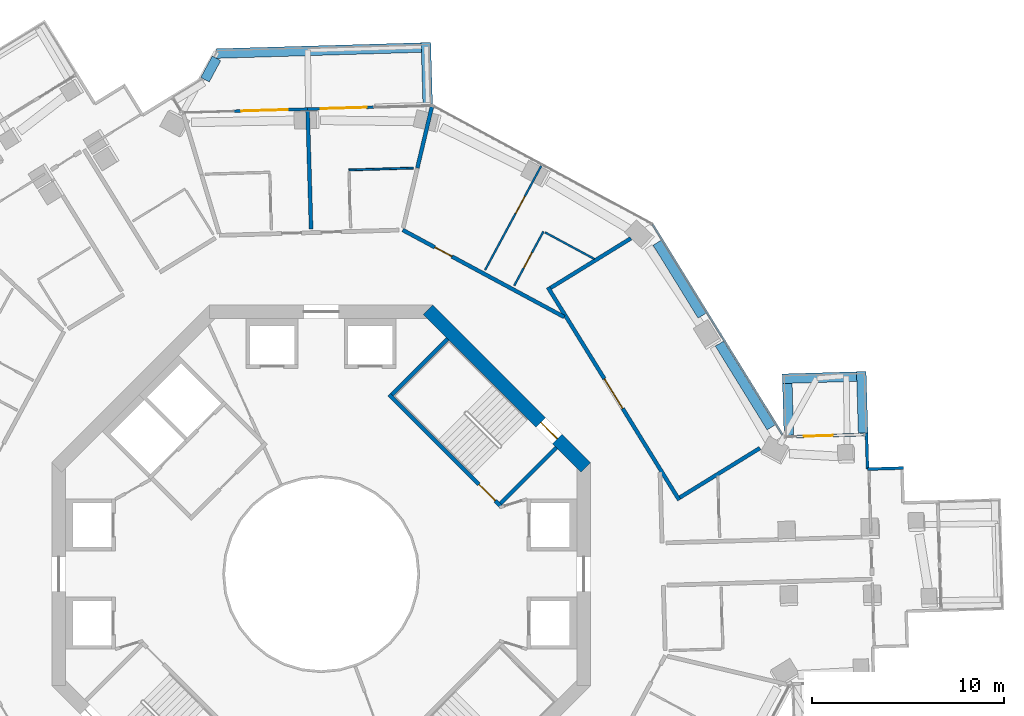
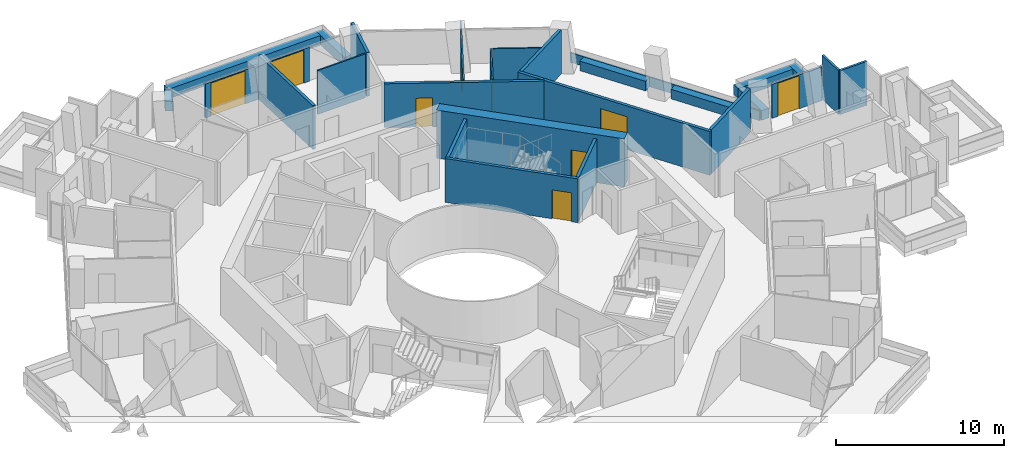
# One storey, part 19 of 22: 28 walls, 9 doors, 9 openings.
"""IFC4 building model written with IfcOpenShell, lengths in metres."""

from ifc_helpers import new_model, si_unit, direction, frame, frame_2d, origin, place, context, subcontext, project, spatial, rectangle, extrude, material, layer, layer_set, type_object, element, fill, save


model = new_model("IFC4")

# Units and contexts
model_context = context("Model", 3, precision=1e-05, world=origin(), true_north=direction((0.0, 1.0)))
body_context = subcontext(model_context, "Body", "Model", "MODEL_VIEW")
ifc_project = project(units=[si_unit("LENGTHUNIT", "METRE"), si_unit("AREAUNIT", "SQUARE_METRE"), si_unit("VOLUMEUNIT", "CUBIC_METRE"), si_unit("PLANEANGLEUNIT", "RADIAN"), si_unit("MASSUNIT", "GRAM", prefix="KILO")], contexts=[model_context])

# Site, building, storey
site_placement = place(None, origin())
site = spatial("IfcSite", under=ifc_project, at=site_placement, CompositionType="ELEMENT")
building_placement = place(site_placement, origin())
building = spatial("IfcBuilding", under=site, at=building_placement, Name="Verdalira Terraces Hotel", CompositionType="ELEMENT")
storey_placement = place(building_placement, frame((0.0, 0.0, 162.0)))
storey = spatial("IfcBuildingStorey", under=building, at=storey_placement, Name="L39", CompositionType="ELEMENT", Elevation=162.0)

# Walls
ifc_material_1 = material(Name="Concrete C40", Category="concrete")
ifc_layer_1 = layer(ifc_material_1, 0.5)
ifc_layer_set_1 = layer_set([ifc_layer_1], Name="Balcony planter trough with tree")
wall_type_1 = type_object("IfcWallType", Name="Balcony planter trough with tree", PredefinedType="SOLIDWALL", material=ifc_layer_set_1)
wall_1_placement = place(storey_placement, frame((28.168701, 7.330078, 0.0), z_axis=(0.0, 0.0, 1.0), x_axis=(-0.029307097, 0.999570455, 0.0)))
element("IfcWall", 1, at=wall_1_placement, inside=storey, type_object=wall_type_1, Name="Balcony planter", PredefinedType="SOLIDWALL", context=body_context, shape_type="SweptSolid", body=[
    extrude(rectangle(XDim=3.198975, YDim=0.5, at=frame_2d((1.599609, 0.0))), origin(), (0.0, 0.0, 1.0), 0.699951),
])
wall_2_placement = place(storey_placement, frame((27.832275, 10.270264, 0.0), z_axis=(0.0, 0.0, 1.0), x_axis=(-0.999571787, -0.029261617, 0.0)))
element("IfcWall", 2, at=wall_2_placement, inside=storey, type_object=wall_type_1, Name="Balcony planter", PredefinedType="SOLIDWALL", context=body_context, shape_type="SweptSolid", body=[
    extrude(rectangle(XDim=3.863037, YDim=0.5, at=frame_2d((1.931641, 0.0))), origin(), (0.0, 0.0, 1.0), 0.699951),
])
wall_3_placement = place(storey_placement, frame((24.228027, 9.914551, 0.0), z_axis=(0.0, 0.0, 1.0), x_axis=(0.029308671, -0.999570409, 0.0)))
element("IfcWall", 3, at=wall_3_placement, inside=storey, type_object=wall_type_1, Name="Balcony planter", PredefinedType="SOLIDWALL", context=body_context, shape_type="SweptSolid", body=[
    extrude(rectangle(XDim=2.698975, YDim=0.5, at=frame_2d((1.349609, 0.0))), origin(), (0.0, 0.0, 1.0), 0.699951),
])
wall_4_placement = place(storey_placement, frame((5.536133, 24.432129, 0.0), z_axis=(0.0, 0.0, 1.0), x_axis=(-0.029304862, 0.99957052, 0.0)))
element("IfcWall", 4, at=wall_4_placement, inside=storey, type_object=wall_type_1, Name="Balcony planter", PredefinedType="SOLIDWALL", context=body_context, shape_type="SweptSolid", body=[
    extrude(rectangle(XDim=3.199219, YDim=0.5, at=frame_2d((1.599609, 0.0))), origin(), (0.0, 0.0, 1.0), 0.699951),
])
wall_5_placement = place(storey_placement, frame((5.199707, 27.372559, 0.0), z_axis=(0.0, 0.0, 1.0), x_axis=(-0.999570286, -0.029312844, 0.0)))
element("IfcWall", 5, at=wall_5_placement, inside=storey, type_object=wall_type_1, Name="Balcony planter", PredefinedType="SOLIDWALL", context=body_context, shape_type="SweptSolid", body=[
    extrude(rectangle(XDim=10.652588, YDim=0.5, at=frame_2d((5.326172, 0.0))), origin(), (0.0, 0.0, 1.0), 0.699951),
])
wall_6_placement = place(storey_placement, frame((-5.440918, 26.810303, 0.0), z_axis=(0.0, 0.0, 1.0), x_axis=(-0.47439977, -0.880309524, 0.0)))
element("IfcWall", 6, at=wall_6_placement, inside=storey, type_object=wall_type_1, Name="Balcony planter", PredefinedType="SOLIDWALL", context=body_context, shape_type="SweptSolid", body=[
    extrude(rectangle(XDim=1.261963, YDim=0.5, at=frame_2d((0.630859, 0.0))), origin(), (0.0, 0.0, 1.0), 0.699951),
])
ifc_material_2 = material(Name="Moisture-resistant gypsum board partition")
ifc_layer_2 = layer(ifc_material_2, 0.10009765625)
ifc_layer_set_2 = layer_set([ifc_layer_2], Name="Bathroom partition 100 mm")
wall_type_2 = type_object("IfcWallType", Name="Bathroom partition 100 mm", PredefinedType="PARTITIONING", material=ifc_layer_set_2)
wall_7_placement = place(storey_placement, frame((1.443115, 21.009766, 0.0), z_axis=(0.0, 0.0, 1.0), x_axis=(0.999570835, 0.029294122, 0.0)))
element("IfcWall", 7, at=wall_7_placement, inside=storey, type_object=wall_type_2, Name="Bathroom partition", PredefinedType="PARTITIONING", context=body_context, shape_type="SweptSolid", body=[
    extrude(rectangle(XDim=3.350342, YDim=0.100098, at=frame_2d((1.675293, 0.0))), origin(), (0.0, 0.0, 1.0), 3.189941),
])

# Wall, opening, door
wall_8_placement = place(storey_placement, frame((11.437012, 21.2229, 0.0), z_axis=(0.0, 0.0, 1.0), x_axis=(-0.474409898, -0.880304066, 0.0)))
wall_8 = element("IfcWall", 8, at=wall_8_placement, inside=storey, type_object=wall_type_2, Name="Bathroom partition", PredefinedType="PARTITIONING", context=body_context, shape_type="SweptSolid", body=[
    extrude(rectangle(XDim=6.150146, YDim=0.100098, at=frame_2d((3.075195, 0.0))), origin(), (0.0, 0.0, 1.0), 3.189941),
])
opening_1_placement = place(wall_8_placement, frame((1.800049, 0.0, 0.0)))
opening_1 = element("IfcOpeningElement", 9, at=opening_1_placement, cuts=wall_8, Name="Opening L39-134", PredefinedType="OPENING", context=body_context, shape_type="SweptSolid", body=[
    extrude(rectangle(XDim=1.0, YDim=2.100098, at=frame_2d((0.5, 1.050049))), frame((0.0, 0.060059, 0.0), z_axis=(0.0, -1.0, 0.0), x_axis=(1.0, 0.0, 0.0)), (0.0, 0.0, 1.0), 0.120117),
])
ifc_material_3 = material(Name="Timber door", Category="wood")
door_type_1 = type_object("IfcDoorType", Name="Suite internal door 1000 x 2100", OperationType="NOTDEFINED", PredefinedType="DOOR", material=ifc_material_3)
door_1_placement = place(opening_1_placement, origin())
door_1 = element("IfcDoor", 10, at=door_1_placement, inside=storey, type_object=door_type_1, Name="Suite internal door 3910", OperationType="SINGLE_SWING_LEFT", OverallHeight=2.10009765625, OverallWidth=1.0, PredefinedType="DOOR", context=body_context, shape_type="SweptSolid", body=[
    extrude(rectangle(XDim=1.0, YDim=2.100098, at=frame_2d((0.5, 1.050049))), frame((0.0, 0.024902, 0.0), z_axis=(0.0, -1.0, 0.0), x_axis=(1.0, 0.0, 0.0)), (0.0, 0.0, 1.0), 0.050049),
])
fill(opening_1, door_1)

wall_9_placement = place(storey_placement, frame((11.550049, 17.810791, 0.0), z_axis=(0.0, 0.0, 1.0), x_axis=(-0.474409178, -0.880304454, 0.0)))
wall_9 = element("IfcWall", 11, at=wall_9_placement, inside=storey, type_object=wall_type_2, Name="Bathroom partition", PredefinedType="PARTITIONING", context=body_context, shape_type="SweptSolid", body=[
    extrude(rectangle(XDim=3.199951, YDim=0.100098, at=frame_2d((1.600098, 0.0))), origin(), (0.0, 0.0, 1.0), 3.189941),
])
opening_2_placement = place(wall_9_placement, frame((1.25, 0.0, 0.0)))
opening_2 = element("IfcOpeningElement", 12, at=opening_2_placement, cuts=wall_9, Name="Opening L39-135", PredefinedType="OPENING", context=body_context, shape_type="SweptSolid", body=[
    extrude(rectangle(XDim=0.899902, YDim=2.100098, at=frame_2d((0.449951, 1.050049))), frame((0.0, 0.060059, 0.0), z_axis=(0.0, -1.0, 0.0), x_axis=(1.0, 0.0, 0.0)), (0.0, 0.0, 1.0), 0.120117),
])
ifc_material_4 = material(Name="Timber door", Category="wood")
door_type_2 = type_object("IfcDoorType", Name="Bathroom door 900 x 2100", OperationType="NOTDEFINED", PredefinedType="DOOR", material=ifc_material_4)
door_2_placement = place(opening_2_placement, origin())
door_2 = element("IfcDoor", 13, at=door_2_placement, inside=storey, type_object=door_type_2, Name="Bathroom door 3910", OperationType="SINGLE_SWING_LEFT", OverallHeight=2.10009765625, OverallWidth=0.89990234375, PredefinedType="DOOR", context=body_context, shape_type="SweptSolid", body=[
    extrude(rectangle(XDim=0.899902, YDim=2.100098, at=frame_2d((0.449951, 1.050049))), frame((0.0, 0.024902, 0.0), z_axis=(0.0, -1.0, 0.0), x_axis=(1.0, 0.0, 0.0)), (0.0, 0.0, 1.0), 0.050049),
])
fill(opening_2, door_2)

# Wall
wall_10_placement = place(storey_placement, frame((14.201416, 16.381836, 0.0), z_axis=(0.0, 0.0, 1.0), x_axis=(-0.880306815, 0.474404797, 0.0)))
element("IfcWall", 14, at=wall_10_placement, inside=storey, type_object=wall_type_2, Name="Bathroom partition", PredefinedType="PARTITIONING", context=body_context, shape_type="SweptSolid", body=[
    extrude(rectangle(XDim=2.911865, YDim=0.100098, at=frame_2d((1.456055, 0.0))), origin(), (0.0, 0.0, 1.0), 3.189941),
])

# Wall, opening, door
ifc_material_5 = material(Name="Concrete C50", Category="concrete")
ifc_layer_3 = layer(ifc_material_5, 0.199951171875)
ifc_layer_set_3 = layer_set([ifc_layer_3], Name="Core RC wall 200 C50")
wall_type_3 = type_object("IfcWallType", Name="Core RC wall 200 C50", PredefinedType="SOLIDWALL", material=ifc_layer_set_3)
wall_11_placement = place(storey_placement, frame((3.5354, 9.33374, 0.0), z_axis=(0.0, 0.0, 1.0), x_axis=(0.707106781, -0.707106781, 0.0)))
wall_11 = element("IfcWall", 15, at=wall_11_placement, inside=storey, type_object=wall_type_3, Name="L39 stair ST1 front wall", PredefinedType="SOLIDWALL", context=body_context, shape_type="SweptSolid", body=[
    extrude(rectangle(XDim=8.200195, YDim=0.199951, at=frame_2d((4.100098, 0.0))), origin(), (0.0, 0.0, 1.0), 3.189941),
])
opening_3_placement = place(wall_11_placement, frame((6.600098, 0.0, 0.0)))
opening_3 = element("IfcOpeningElement", 16, at=opening_3_placement, cuts=wall_11, Name="Opening L39-809", PredefinedType="OPENING", context=body_context, shape_type="SweptSolid", body=[
    extrude(rectangle(XDim=1.199951, YDim=2.100098, at=frame_2d((0.600098, 1.050049))), frame((0.0, 0.109863, 0.0), z_axis=(0.0, -1.0, 0.0), x_axis=(1.0, 0.0, 0.0)), (0.0, 0.0, 1.0), 0.219971),
])
ifc_material_6 = material(Name="Steel fire door", Category="steel")
door_type_3 = type_object("IfcDoorType", Name="Stair door 1200 x 2100", OperationType="NOTDEFINED", PredefinedType="DOOR", material=ifc_material_6)
door_3_placement = place(opening_3_placement, origin())
door_3 = element("IfcDoor", 17, at=door_3_placement, inside=storey, type_object=door_type_3, Name="Stair door ST1 L39", OperationType="SINGLE_SWING_RIGHT", OverallHeight=2.10009765625, OverallWidth=1.199951171875, PredefinedType="DOOR", context=body_context, shape_type="SweptSolid", body=[
    extrude(rectangle(XDim=1.199951, YDim=2.100098, at=frame_2d((0.600098, 1.050049))), frame((0.0, 0.024902, 0.0), z_axis=(0.0, -1.0, 0.0), x_axis=(1.0, 0.0, 0.0)), (0.0, 0.0, 1.0), 0.050049),
])
fill(opening_3, door_3)

# Walls
for number, where, z_axis, x_axis, name in (
    (18, (9.33374, 3.677002, 0.0), (0.0, 0.0, 1.0), (0.707106781, 0.707106781, 0.0), "L39 stair ST1 end wall 1"),
    (19, (3.677002, 9.33374, 0.0), (0.0, 0.0, 1.0), (0.707106781, 0.707106781, 0.0), "L39 stair ST1 end wall 2"),
):
    element("IfcWall", number, at=place(storey_placement, frame(where, z_axis=z_axis, x_axis=x_axis)), inside=storey, type_object=wall_type_3, Name=name, PredefinedType="SOLIDWALL", context=body_context, shape_type="SweptSolid", body=[
        extrude(rectangle(XDim=4.100098, YDim=0.199951, at=frame_2d((2.050049, 0.0))), origin(), (0.0, 0.0, 1.0), 3.189941),
    ])

# Wall, opening, door
ifc_material_7 = material(Name="Concrete C60", Category="concrete")
ifc_layer_4 = layer(ifc_material_7, 0.699951171875)
ifc_layer_set_4 = layer_set([ifc_layer_4], Name="Core wall 700 C60")
wall_type_4 = type_object("IfcWallType", Name="Core wall 700 C60", PredefinedType="SHEAR", material=ifc_layer_set_4)
wall_12_placement = place(storey_placement, frame((13.752441, 5.551514, 0.0), z_axis=(0.0, 0.0, 1.0), x_axis=(-0.707106781, 0.707106781, 0.0)))
wall_12 = element("IfcWall", 20, at=wall_12_placement, inside=storey, type_object=wall_type_4, Name="Core wall CW-L39-2", PredefinedType="SHEAR", context=body_context, shape_type="SweptSolid", body=[
    extrude(rectangle(XDim=11.5979, YDim=0.699951, at=frame_2d((5.798828, 0.0))), origin(), (0.0, 0.0, 1.0), 3.5),
])
opening_4_placement = place(wall_12_placement, frame((2.099121, 0.0, 0.0)))
opening_4 = element("IfcOpeningElement", 21, at=opening_4_placement, cuts=wall_12, Name="Opening L39-816", PredefinedType="OPENING", context=body_context, shape_type="SweptSolid", body=[
    extrude(rectangle(XDim=1.199951, YDim=2.100098, at=frame_2d((0.600098, 1.050049))), frame((0.0, 0.359863, 0.0), z_axis=(0.0, -1.0, 0.0), x_axis=(1.0, 0.0, 0.0)), (0.0, 0.0, 1.0), 0.719971),
])
door_4_placement = place(opening_4_placement, origin())
door_4 = element("IfcDoor", 22, at=door_4_placement, inside=storey, type_object=door_type_3, Name="Stair exit door ST1 L39", OperationType="SINGLE_SWING_LEFT", OverallHeight=2.10009765625, OverallWidth=1.199951171875, PredefinedType="DOOR", context=body_context, shape_type="SweptSolid", body=[
    extrude(rectangle(XDim=1.199951, YDim=2.100098, at=frame_2d((0.600098, 1.050049))), frame((0.0, 0.024902, 0.0), z_axis=(0.0, -1.0, 0.0), x_axis=(1.0, 0.0, 0.0)), (0.0, 0.0, 1.0), 0.050049),
])
fill(opening_4, door_4)

# Walls
ifc_material_8 = material(Name="Fire-rated gypsum board wall")
ifc_layer_5 = layer(ifc_material_8, 0.199951171875)
ifc_layer_set_5 = layer_set([ifc_layer_5], Name="Demising wall 200 mm")
wall_type_5 = type_object("IfcWallType", Name="Demising wall 200 mm", PredefinedType="SOLIDWALL", material=ifc_layer_set_5)
wall_13_placement = place(storey_placement, frame((-0.526611, 17.950684, 0.0), z_axis=(0.0, 0.0, 1.0), x_axis=(-0.029297558, 0.999570734, 0.0)))
element("IfcWall", 23, at=wall_13_placement, inside=storey, type_object=wall_type_5, Name="Demising wall", PredefinedType="SOLIDWALL", context=body_context, shape_type="SweptSolid", body=[
    extrude(rectangle(XDim=6.149902, YDim=0.199951, at=frame_2d((3.074951, 0.0))), origin(), (0.0, 0.0, 1.0), 3.189941),
])
wall_14_placement = place(storey_placement, frame((4.998291, 21.111816, 0.0), z_axis=(0.0, 0.0, 1.0), x_axis=(0.230425438, 0.973089984, 0.0)))
element("IfcWall", 24, at=wall_14_placement, inside=storey, type_object=wall_type_5, Name="Demising wall", PredefinedType="SOLIDWALL", context=body_context, shape_type="SweptSolid", body=[
    extrude(rectangle(XDim=3.268555, YDim=0.199951, at=frame_2d((1.634277, 0.0))), origin(), (0.0, 0.0, 1.0), 3.189941),
])

# Wall, opening, door
ifc_material_9 = material(Name="Fire-rated gypsum board wall")
ifc_layer_6 = layer(ifc_material_9, 0.199951171875)
ifc_layer_set_6 = layer_set([ifc_layer_6], Name="Guest corridor wall 200 mm")
wall_type_6 = type_object("IfcWallType", Name="Guest corridor wall 200 mm", PredefinedType="SOLIDWALL", material=ifc_layer_set_6)
wall_15_placement = place(storey_placement, frame((4.235596, 17.890137, 0.0), z_axis=(0.0, 0.0, 1.0), x_axis=(0.880311578, -0.474395959, 0.0)))
wall_15 = element("IfcWall", 25, at=wall_15_placement, inside=storey, type_object=wall_type_6, Name="Guest corridor wall", PredefinedType="SOLIDWALL", context=body_context, shape_type="SweptSolid", body=[
    extrude(rectangle(XDim=9.536621, YDim=0.199951, at=frame_2d((4.768311, 0.0))), origin(), (0.0, 0.0, 1.0), 3.189941),
])
opening_5_placement = place(wall_15_placement, frame((1.899902, 0.0, 0.0)))
opening_5 = element("IfcOpeningElement", 26, at=opening_5_placement, cuts=wall_15, Name="Opening L39-133", PredefinedType="OPENING", context=body_context, shape_type="SweptSolid", body=[
    extrude(rectangle(XDim=1.0, YDim=2.100098, at=frame_2d((0.5, 1.050049))), frame((0.0, 0.109863, 0.0), z_axis=(0.0, -1.0, 0.0), x_axis=(1.0, 0.0, 0.0)), (0.0, 0.0, 1.0), 0.219971),
])
ifc_material_10 = material(Name="Timber fire door", Category="wood")
door_type_4 = type_object("IfcDoorType", Name="Guest entry door 1000 x 2100", OperationType="NOTDEFINED", PredefinedType="DOOR", material=ifc_material_10)
door_5_placement = place(opening_5_placement, origin())
door_5 = element("IfcDoor", 27, at=door_5_placement, inside=storey, type_object=door_type_4, Name="Guest entry door 3910", OperationType="SINGLE_SWING_LEFT", OverallHeight=2.10009765625, OverallWidth=1.0, PredefinedType="DOOR", context=body_context, shape_type="SweptSolid", body=[
    extrude(rectangle(XDim=1.0, YDim=2.100098, at=frame_2d((0.5, 1.050049))), frame((0.0, 0.024902, 0.0), z_axis=(0.0, -1.0, 0.0), x_axis=(1.0, 0.0, 0.0)), (0.0, 0.0, 1.0), 0.050049),
])
fill(opening_5, door_5)

ifc_material_11 = material(Name="Terracotta cladding", Category="masonry")
ifc_layer_7 = layer(ifc_material_11, 0.199951171875)
ifc_layer_set_7 = layer_set([ifc_layer_7], Name="Loggia back wall 200")
wall_type_7 = type_object("IfcWallType", Name="Loggia back wall 200", PredefinedType="SOLIDWALL", material=ifc_layer_set_7)
wall_16_placement = place(storey_placement, frame((11.783691, 14.910156, 0.0), z_axis=(0.0, 0.0, 1.0), x_axis=(0.525179384, -0.850991548, 0.0)))
wall_16 = element("IfcWall", 28, at=wall_16_placement, inside=storey, type_object=wall_type_7, Name="Loggia back wall", PredefinedType="SOLIDWALL", context=body_context, shape_type="SweptSolid", body=[
    extrude(rectangle(XDim=13.0, YDim=0.199951, at=frame_2d((6.5, 0.0))), origin(), (0.0, 0.0, 1.0), 3.189941),
])
opening_6_placement = place(wall_16_placement, frame((5.600098, 0.0, 0.0)))
opening_6 = element("IfcOpeningElement", 29, at=opening_6_placement, cuts=wall_16, Name="Opening L39-L01", PredefinedType="OPENING", context=body_context, shape_type="SweptSolid", body=[
    extrude(rectangle(XDim=1.800049, YDim=2.399902, at=frame_2d((0.899902, 1.199951))), frame((0.0, 0.109863, 0.0), z_axis=(0.0, -1.0, 0.0), x_axis=(1.0, 0.0, 0.0)), (0.0, 0.0, 1.0), 0.219971),
])
ifc_material_12 = material(Name="Clear glass", Category="glass")
door_type_5 = type_object("IfcDoorType", Name="Garden double door 1800x2400", OperationType="NOTDEFINED", PredefinedType="DOOR", material=ifc_material_12)
door_6_placement = place(opening_6_placement, origin())
door_6 = element("IfcDoor", 30, at=door_6_placement, inside=storey, type_object=door_type_5, Name="Loggia double door", OperationType="DOUBLE_DOOR_SINGLE_SWING", OverallHeight=2.39990234375, OverallWidth=1.800048828125, PredefinedType="DOOR", context=body_context, shape_type="SweptSolid", body=[
    extrude(rectangle(XDim=1.800049, YDim=2.399902, at=frame_2d((0.899902, 1.199951))), frame((0.0, 0.024902, 0.0), z_axis=(0.0, -1.0, 0.0), x_axis=(1.0, 0.0, 0.0)), (0.0, 0.0, 1.0), 0.050049),
])
fill(opening_6, door_6)

# Walls
wall_17_placement = place(storey_placement, frame((22.804443, 6.552734, 0.0), z_axis=(0.0, 0.0, 1.0), x_axis=(-0.850989008, -0.5251835, 0.0)))
element("IfcWall", 31, at=wall_17_placement, inside=storey, type_object=wall_type_7, Name="Loggia side wall", PredefinedType="SOLIDWALL", context=body_context, shape_type="SweptSolid", body=[
    extrude(rectangle(XDim=4.889404, YDim=0.199951, at=frame_2d((2.444824, 0.0))), origin(), (0.0, 0.0, 1.0), 3.189941),
])
wall_18_placement = place(storey_placement, frame((16.094482, 17.452881, 0.0), z_axis=(0.0, 0.0, 1.0), x_axis=(-0.851008082, -0.525152592, 0.0)))
element("IfcWall", 32, at=wall_18_placement, inside=storey, type_object=wall_type_7, Name="Loggia side wall", PredefinedType="SOLIDWALL", context=body_context, shape_type="SweptSolid", body=[
    extrude(rectangle(XDim=4.903809, YDim=0.199951, at=frame_2d((2.451904, 0.0))), origin(), (0.0, 0.0, 1.0), 3.189941),
])
ifc_material_13 = material(Name="Concrete C40", Category="concrete")
ifc_layer_8 = layer(ifc_material_13, 0.5)
ifc_layer_set_8 = layer_set([ifc_layer_8], Name="Loggia planter trough with tree")
wall_type_8 = type_object("IfcWallType", Name="Loggia planter trough with tree", PredefinedType="SOLIDWALL", material=ifc_layer_set_8)
wall_19_placement = place(storey_placement, frame((23.387451, 7.627441, 0.0), z_axis=(0.0, 0.0, 1.0), x_axis=(-0.52515659, 0.851005614, 0.0)))
element("IfcWall", 33, at=wall_19_placement, inside=storey, type_object=wall_type_8, Name="Loggia planter", PredefinedType="SOLIDWALL", context=body_context, shape_type="SweptSolid", body=[
    extrude(rectangle(XDim=5.116699, YDim=0.5, at=frame_2d((2.55835, 0.0))), origin(), (0.0, 0.0, 1.0), 0.699951),
])
wall_20_placement = place(storey_placement, frame((19.802002, 13.437256, 0.0), z_axis=(0.0, 0.0, 1.0), x_axis=(-0.525152092, 0.85100839, 0.0)))
element("IfcWall", 34, at=wall_20_placement, inside=storey, type_object=wall_type_8, Name="Loggia planter", PredefinedType="SOLIDWALL", context=body_context, shape_type="SweptSolid", body=[
    extrude(rectangle(XDim=4.454102, YDim=0.5, at=frame_2d((2.227051, 0.0))), origin(), (0.0, 0.0, 1.0), 0.699951),
])
ifc_material_14 = material(Name="Concrete C40", Category="concrete")
ifc_layer_9 = layer(ifc_material_14, 0.10009765625)
ifc_layer_set_9 = layer_set([ifc_layer_9], Name="Loggia upstand 100")
wall_type_9 = type_object("IfcWallType", Name="Loggia upstand 100", PredefinedType="SOLIDWALL", material=ifc_layer_set_9)
wall_21_placement = place(storey_placement, frame((23.972656, 7.250244, 0.0), z_axis=(0.0, 0.0, 1.0), x_axis=(-0.525170615, 0.85099696, 0.0)))
element("IfcWall", 35, at=wall_21_placement, inside=storey, type_object=wall_type_9, Name="Loggia upstand", PredefinedType="SOLIDWALL", context=body_context, shape_type="SweptSolid", body=[
    extrude(rectangle(XDim=12.839844, YDim=0.100098, at=frame_2d((6.419922, 0.0))), origin(), (0.0, 0.0, 1.0), 0.699951),
])
ifc_material_15 = material(Name="Terracotta cladding", Category="masonry")
ifc_layer_10 = layer(ifc_material_15, 0.14990234375)
ifc_layer_set_10 = layer_set([ifc_layer_10], Name="Terracotta clad wall 150")
wall_type_10 = type_object("IfcWallType", Name="Terracotta clad wall 150", PredefinedType="SOLIDWALL", material=ifc_layer_set_10)
wall_22_placement = place(storey_placement, frame((30.272705, 5.514893, 0.0), z_axis=(0.0, 0.0, 1.0), x_axis=(-0.999570676, -0.029299557, 0.0)))
element("IfcWall", 36, at=wall_22_placement, inside=storey, type_object=wall_type_10, Name="Terracotta cladding wall", PredefinedType="SOLIDWALL", context=body_context, shape_type="SweptSolid", body=[
    extrude(rectangle(XDim=1.874756, YDim=0.149902, at=frame_2d((0.9375, 0.0))), origin(), (0.0, 0.0, 1.0), 3.189941),
])
wall_23_placement = place(storey_placement, frame((28.398682, 5.459961, 0.0), z_axis=(0.0, 0.0, 1.0), x_axis=(-0.029295744, 0.999570788, 0.0)))
element("IfcWall", 37, at=wall_23_placement, inside=storey, type_object=wall_type_10, Name="Terracotta cladding wall", PredefinedType="SOLIDWALL", context=body_context, shape_type="SweptSolid", body=[
    extrude(rectangle(XDim=1.875, YDim=0.149902, at=frame_2d((0.9375, 0.0))), origin(), (0.0, 0.0, 1.0), 3.189941),
])

# Wall, opening, door
ifc_material_16 = material(Name="Terracotta cladding", Category="masonry")
ifc_layer_11 = layer(ifc_material_16, 0.14990234375)
ifc_layer_set_11 = layer_set([ifc_layer_11], Name="Terracotta door pier 150")
wall_type_11 = type_object("IfcWallType", Name="Terracotta door pier 150", PredefinedType="SOLIDWALL", material=ifc_layer_set_11)
wall_24_placement = place(storey_placement, frame((28.200928, 7.254883, 0.0), z_axis=(0.0, 0.0, 1.0), x_axis=(-0.999570518, -0.029304957, 0.0)))
wall_24 = element("IfcWall", 38, at=wall_24_placement, inside=storey, type_object=wall_type_11, Name="Terracotta door pier", PredefinedType="SOLIDWALL", context=body_context, shape_type="SweptSolid", body=[
    extrude(rectangle(XDim=3.507324, YDim=0.149902, at=frame_2d((1.753662, 0.0))), origin(), (0.0, 0.0, 1.0), 2.475098),
])
opening_7_placement = place(wall_24_placement, frame((1.607422, 0.0, 0.0)))
opening_7 = element("IfcOpeningElement", 39, at=opening_7_placement, cuts=wall_24, Name="Opening L39-B12", PredefinedType="OPENING", context=body_context, shape_type="SweptSolid", body=[
    extrude(rectangle(XDim=1.5, YDim=2.399902, at=frame_2d((0.75, 1.199951))), frame((0.0, 0.084961, 0.0), z_axis=(0.0, -1.0, 0.0), x_axis=(1.0, 0.0, 0.0)), (0.0, 0.0, 1.0), 0.169922),
])
ifc_material_17 = material(Name="Clear glass", Category="glass")
door_type_6 = type_object("IfcDoorType", Name="Balcony sliding door 1500x2400", OperationType="NOTDEFINED", PredefinedType="DOOR", material=ifc_material_17)
door_7_placement = place(opening_7_placement, origin())
door_7 = element("IfcDoor", 40, at=door_7_placement, inside=storey, type_object=door_type_6, Name="Balcony sliding door", OperationType="SLIDING_TO_LEFT", OverallHeight=2.39990234375, OverallWidth=1.5, PredefinedType="DOOR", context=body_context, shape_type="SweptSolid", body=[
    extrude(rectangle(XDim=1.5, YDim=2.399902, at=frame_2d((0.75, 1.199951))), frame((0.0, 0.024902, 0.0), z_axis=(0.0, -1.0, 0.0), x_axis=(1.0, 0.0, 0.0)), (0.0, 0.0, 1.0), 0.050049),
])
fill(opening_7, door_7)

wall_25_placement = place(storey_placement, frame((2.764404, 24.274902, 0.0), z_axis=(0.0, 0.0, 1.0), x_axis=(-0.999568665, -0.029368082, 0.0)))
wall_25 = element("IfcWall", 41, at=wall_25_placement, inside=storey, type_object=wall_type_11, Name="Terracotta door pier", PredefinedType="SOLIDWALL", context=body_context, shape_type="SweptSolid", body=[
    extrude(rectangle(XDim=3.474854, YDim=0.149902, at=frame_2d((1.737305, 0.0))), origin(), (0.0, 0.0, 1.0), 2.475098),
])
opening_8_placement = place(wall_25_placement, frame((0.399902, 0.0, 0.0)))
opening_8 = element("IfcOpeningElement", 42, at=opening_8_placement, cuts=wall_25, Name="Opening L39-B13", PredefinedType="OPENING", context=body_context, shape_type="SweptSolid", body=[
    extrude(rectangle(XDim=2.399902, YDim=2.399902, at=frame_2d((1.199951, 1.199951))), frame((0.0, 0.084961, 0.0), z_axis=(0.0, -1.0, 0.0), x_axis=(1.0, 0.0, 0.0)), (0.0, 0.0, 1.0), 0.169922),
])
ifc_material_18 = material(Name="Clear glass", Category="glass")
door_type_7 = type_object("IfcDoorType", Name="Balcony sliding door 2400x2400", OperationType="NOTDEFINED", PredefinedType="DOOR", material=ifc_material_18)
door_8_placement = place(opening_8_placement, origin())
door_8 = element("IfcDoor", 43, at=door_8_placement, inside=storey, type_object=door_type_7, Name="Balcony sliding door", OperationType="SLIDING_TO_RIGHT", OverallHeight=2.39990234375, OverallWidth=2.39990234375, PredefinedType="DOOR", context=body_context, shape_type="SweptSolid", body=[
    extrude(rectangle(XDim=2.399902, YDim=2.399902, at=frame_2d((1.199951, 1.199951))), frame((0.0, 0.024902, 0.0), z_axis=(0.0, -1.0, 0.0), x_axis=(1.0, 0.0, 0.0)), (0.0, 0.0, 1.0), 0.050049),
])
fill(opening_8, door_8)

wall_26_placement = place(storey_placement, frame((-0.708984, 24.172852, 0.0), z_axis=(0.0, 0.0, 1.0), x_axis=(-0.999571268, -0.029279342, 0.0)))
wall_26 = element("IfcWall", 44, at=wall_26_placement, inside=storey, type_object=wall_type_11, Name="Terracotta door pier", PredefinedType="SOLIDWALL", context=body_context, shape_type="SweptSolid", body=[
    extrude(rectangle(XDim=3.835693, YDim=0.149902, at=frame_2d((1.917969, 0.0))), origin(), (0.0, 0.0, 1.0), 2.475098),
])
opening_9_placement = place(wall_26_placement, frame((1.0354, 0.0, 0.0)))
opening_9 = element("IfcOpeningElement", 45, at=opening_9_placement, cuts=wall_26, Name="Opening L39-B14", PredefinedType="OPENING", context=body_context, shape_type="SweptSolid", body=[
    extrude(rectangle(XDim=2.399902, YDim=2.399902, at=frame_2d((1.199951, 1.199951))), frame((0.0, 0.084961, 0.0), z_axis=(0.0, -1.0, 0.0), x_axis=(1.0, 0.0, 0.0)), (0.0, 0.0, 1.0), 0.169922),
])
door_9_placement = place(opening_9_placement, origin())
door_9 = element("IfcDoor", 46, at=door_9_placement, inside=storey, type_object=door_type_7, Name="Balcony sliding door", OperationType="SLIDING_TO_LEFT", OverallHeight=2.39990234375, OverallWidth=2.39990234375, PredefinedType="DOOR", context=body_context, shape_type="SweptSolid", body=[
    extrude(rectangle(XDim=2.399902, YDim=2.399902, at=frame_2d((1.199951, 1.199951))), frame((0.0, 0.024902, 0.0), z_axis=(0.0, -1.0, 0.0), x_axis=(1.0, 0.0, 0.0)), (0.0, 0.0, 1.0), 0.050049),
])
fill(opening_9, door_9)

save(model, "model.ifc")
